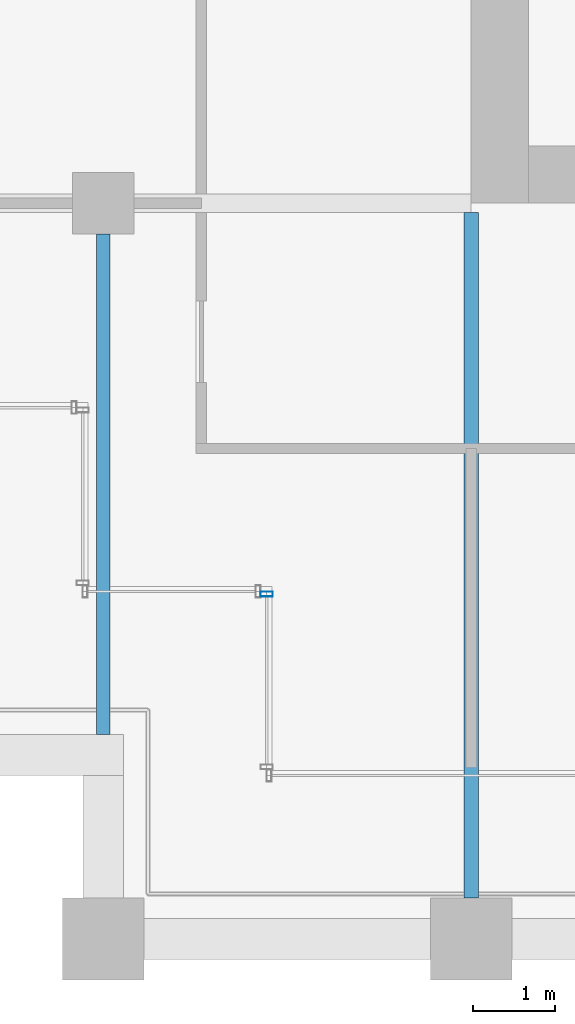
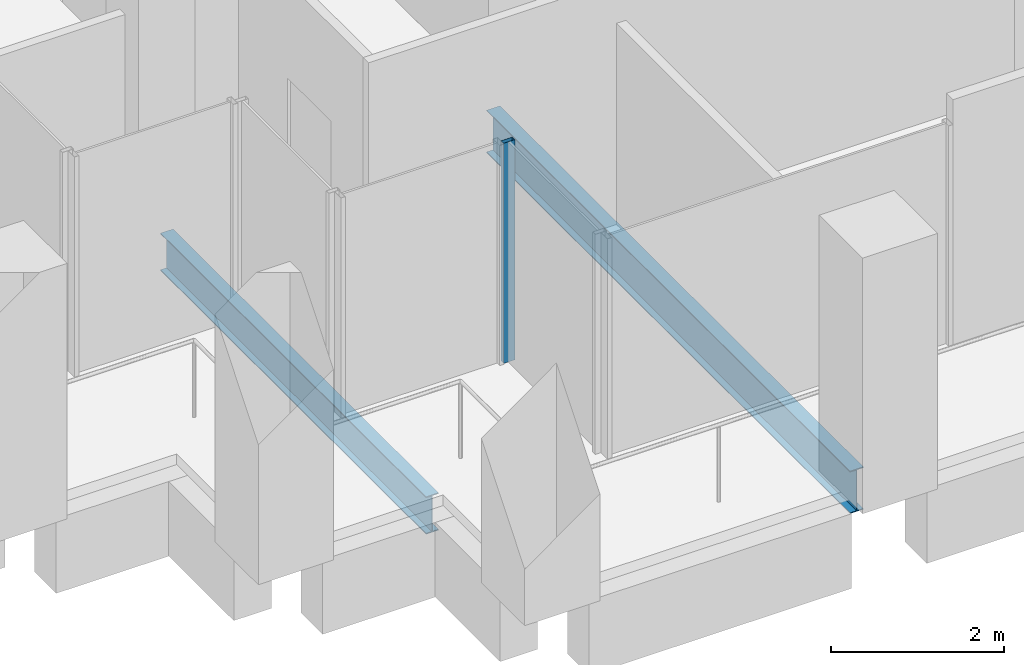
# One storey, part 29 of 46: 2 beams, 1 member, 1 element without a shape of its own.
"""IFC4 building model written with IfcOpenShell, lengths in metres."""

from ifc_helpers import new_model, si_unit, direction, frame, origin, origin_2d, place, context, subcontext, project, spatial, hollow_rectangle, i_section, extrude, material, material_profile, profile_set, type_object, element, aggregate, save


model = new_model("IFC4")

# Units and contexts
model_context = context("Model", 3, precision=1e-05, world=origin(), true_north=direction((0.0, 1.0)))
body_context = subcontext(model_context, "Body", "Model", "MODEL_VIEW")
ifc_project = project(units=[si_unit("LENGTHUNIT", "METRE"), si_unit("AREAUNIT", "SQUARE_METRE"), si_unit("VOLUMEUNIT", "CUBIC_METRE"), si_unit("PLANEANGLEUNIT", "RADIAN"), si_unit("MASSUNIT", "GRAM", prefix="KILO")], contexts=[model_context])

# Site, building, storey
site_placement = place(None, origin())
site = spatial("IfcSite", under=ifc_project, at=site_placement, CompositionType="ELEMENT")
building_placement = place(site_placement, origin())
building = spatial("IfcBuilding", under=site, at=building_placement, Name="Altepetl Exchange Towers", CompositionType="ELEMENT")
storey_placement = place(building_placement, frame((0.0, 0.0, 128.0)))
storey = spatial("IfcBuildingStorey", under=building, at=storey_placement, Name="L31", CompositionType="ELEMENT", Elevation=128.0)

# Beams
ifc_material_1 = material(Name="Steel S355", Category="steel")
ifc_material_profile_1 = material_profile(ifc_material_1, i_section(OverallWidth=0.166015625, OverallDepth=0.529052734375, WebThickness=0.009765625, FlangeThickness=0.013671875, at=origin_2d()), Name="W21X50")
ifc_profile_set_1 = profile_set([ifc_material_profile_1], Name="Steel S355")
beam_type_1 = type_object("IfcBeamType", Name="Floor beam W21X50", PredefinedType="BEAM", material=ifc_profile_set_1)
beam_1_placement = place(storey_placement, frame((99.0, 29.5, -0.41455078125), z_axis=(0.0, 1.0, 0.0), x_axis=(-1.0, 0.0, 0.0)))
element("IfcBeam", 1, at=beam_1_placement, inside=storey, type_object=beam_type_1, Name="bm:B:L31:004", PredefinedType="BEAM", context=body_context, shape_type="SweptSolid", body=[
    extrude(i_section(OverallWidth=0.166015625, OverallDepth=0.529052734375, WebThickness=0.009765625, FlangeThickness=0.013671875, at=origin_2d()), origin(), (0.0, 0.0, 1.0), 6.125),
])
ifc_material_profile_2 = material_profile(ifc_material_1, i_section(OverallWidth=0.177978515625, OverallDepth=0.59912109375, WebThickness=0.010009765625, FlangeThickness=0.0126953125, at=origin_2d()), Name="W24X55")
ifc_profile_set_2 = profile_set([ifc_material_profile_2], Name="Steel S355")
beam_type_2 = type_object("IfcBeamType", Name="Floor beam W24X55", PredefinedType="BEAM", material=ifc_profile_set_2)
beam_2_placement = place(storey_placement, frame((103.5, 27.5, -0.449462890625), z_axis=(0.0, 1.0, 0.0), x_axis=(-1.0, 0.0, 0.0)))
element("IfcBeam", 2, at=beam_2_placement, inside=storey, type_object=beam_type_2, Name="bm:B:L31:005", PredefinedType="BEAM", context=body_context, shape_type="SweptSolid", body=[
    extrude(i_section(OverallWidth=0.177978515625, OverallDepth=0.59912109375, WebThickness=0.010009765625, FlangeThickness=0.0126953125, at=origin_2d()), origin(), (0.0, 0.0, 1.0), 8.385986328125),
])

# Curtain wall, member
ifc_material_2 = material(Name="Aluminium 6063-T6 glazing", Category="aluminium")
curtain_wall_type = type_object("IfcCurtainWallType", Name="Loggia glazing system", PredefinedType="NOTDEFINED", material=ifc_material_2)
curtain_wall_placement = place(storey_placement, origin())
curtain_wall = element("IfcCurtainWall", 3, at=curtain_wall_placement, inside=storey, type_object=curtain_wall_type, Name="CW1 run", PredefinedType="NOTDEFINED")
ifc_material_3 = material(Name="Aluminium 6063-T6", Category="aluminium")
ifc_material_profile_3 = material_profile(ifc_material_3, hollow_rectangle(XDim=0.06005859375, YDim=0.14990234375, WallThickness=0.0029296875, at=origin_2d()), Name="Mullion 60x150 aluminium")
ifc_profile_set_3 = profile_set([ifc_material_profile_3], Name="Aluminium 6063-T6")
member_type = type_object("IfcMemberType", Name="Mullion 60x150 aluminium", PredefinedType="MULLION", material=ifc_profile_set_3)
member_placement = place(storey_placement, frame((101.0, 31.219970703125, 0.0), z_axis=(0.0, 0.0, 1.0), x_axis=(0.0, -1.0, 0.0)))
member = element("IfcMember", 4, at=member_placement, type_object=member_type, Name="MU1 mullion", PredefinedType="MULLION", context=body_context, shape_type="SweptSolid", body=[
    extrude(hollow_rectangle(XDim=0.06005859375, YDim=0.14990234375, WallThickness=0.0029296875, at=origin_2d()), origin(), (0.0, 0.0, 1.0), 3.10009765625),
])
aggregate(curtain_wall, [member])

save(model, "model.ifc")
